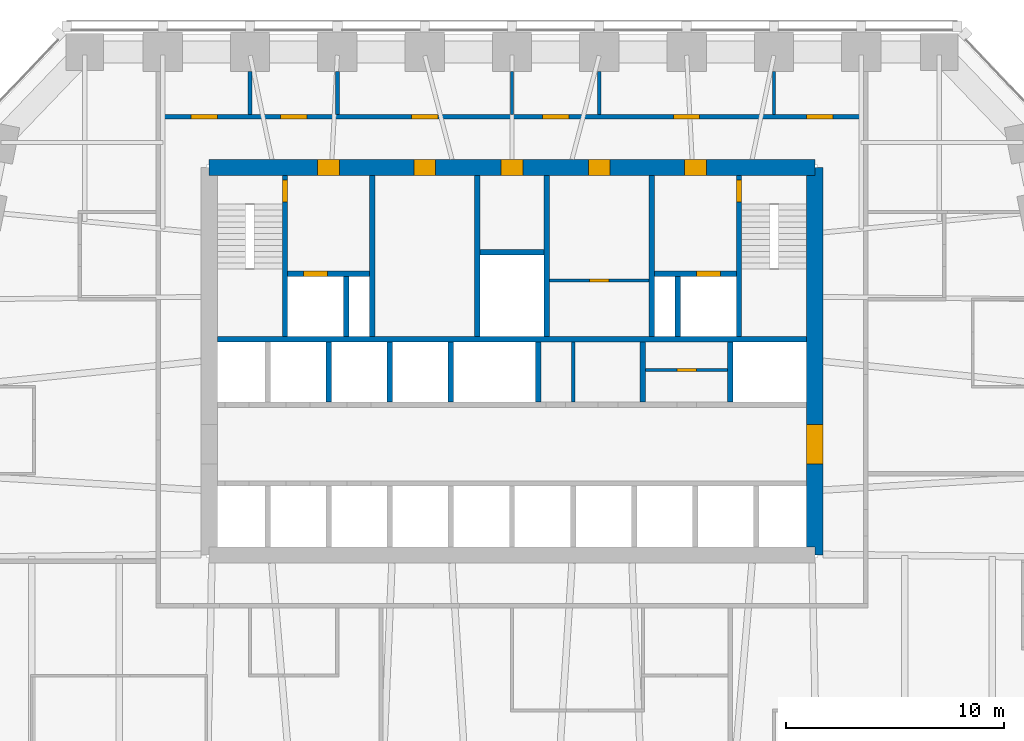
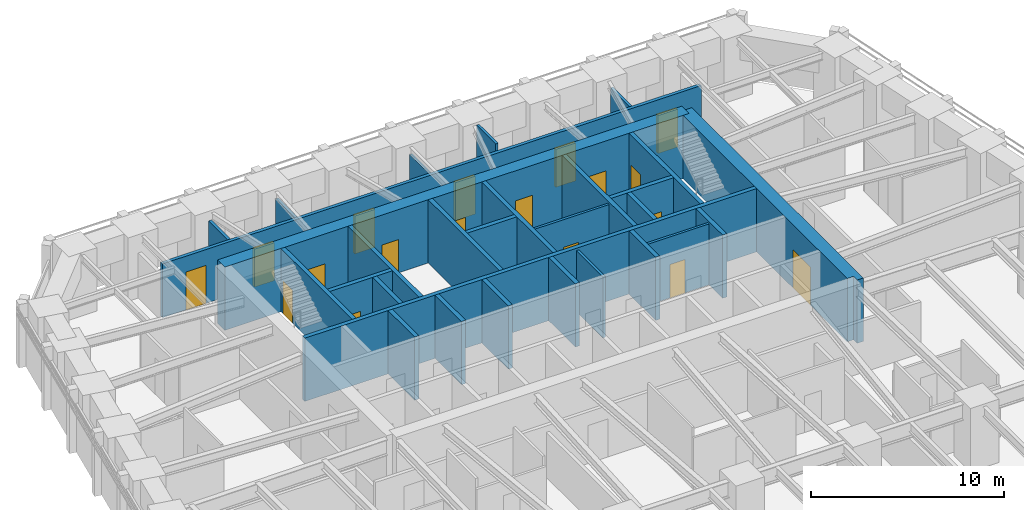
# One storey, part 7 of 10: 29 walls, 18 doors, 18 openings.
"""IFC4 building model written with IfcOpenShell, lengths in metres."""

from ifc_helpers import new_model, si_unit, direction, frame, frame_2d, origin, place, context, subcontext, project, spatial, polyline, rectangle, outline, extrude, material, layer, layer_set, type_object, element, fill, save


model = new_model("IFC4")

# Units and contexts
model_context = context("Model", 3, precision=1e-05, world=origin(), true_north=direction((0.0, 1.0)))
body_context = subcontext(model_context, "Body", "Model", "MODEL_VIEW")
ifc_project = project(units=[si_unit("LENGTHUNIT", "METRE"), si_unit("AREAUNIT", "SQUARE_METRE"), si_unit("VOLUMEUNIT", "CUBIC_METRE"), si_unit("PLANEANGLEUNIT", "RADIAN"), si_unit("MASSUNIT", "GRAM", prefix="KILO")], contexts=[model_context])

# Site, building, storey
site_placement = place(None, origin())
site = spatial("IfcSite", under=ifc_project, at=site_placement, CompositionType="ELEMENT")
building_placement = place(site_placement, origin())
building = spatial("IfcBuilding", under=site, at=building_placement, Name="Isbrekke Arena Tower", CompositionType="ELEMENT")
storey_placement = place(building_placement, frame((0.0, 0.0, 155.0)))
storey = spatial("IfcBuildingStorey", under=building, at=storey_placement, Name="L35", CompositionType="ELEMENT", Elevation=155.0)

# Wall, opening, door
ifc_material_1 = material(Name="Concrete B55 (C55/67)", Category="concrete")
ifc_layer_1 = layer(ifc_material_1, 0.75)
ifc_layer_set_1 = layer_set([ifc_layer_1], Name="CW3 CORE WALL 750")
wall_type_1 = type_object("IfcWallType", Name="CW3 CORE WALL 750", PredefinedType="SHEAR", material=ifc_layer_set_1)
wall_1_placement = place(storey_placement, frame((13.875, 6.125, 0.0), z_axis=(0.0, 0.0, 1.0), x_axis=(0.0, 1.0, 0.0)))
wall_1 = element("IfcWall", 1, at=wall_1_placement, inside=storey, type_object=wall_type_1, Name="Core wall E L35", PredefinedType="SHEAR", context=body_context, shape_type="SweptSolid", body=[
    extrude(outline(polyline([(0.0, -0.375), (17.75, -0.375), (17.75, 0.0), (17.375, 0.0), (17.375, 0.375), (0.375, 0.375), (0.375, 0.0), (0.0, 0.0), (0.0, -0.375)])), origin(), (0.0, 0.0, 1.0), 4.0),
])
opening_1_placement = place(wall_1_placement, frame((4.175048828125, 0.0, 0.0)))
opening_1 = element("IfcOpeningElement", 2, at=opening_1_placement, cuts=wall_1, Name="Opening D1", PredefinedType="OPENING", context=body_context, shape_type="SweptSolid", body=[
    extrude(rectangle(XDim=1.800048828125, YDim=2.39990234375, at=frame_2d((0.89990234375, 1.199951171875))), frame((0.0, 0.389892578125, 0.0), z_axis=(0.0, -1.0, 0.0), x_axis=(1.0, 0.0, 0.0)), (0.0, 0.0, 1.0), 0.77978515625),
])
ifc_material_2 = material(Name="Steel-framed glazed fire door", Category="steel")
door_type_1 = type_object("IfcDoorType", Name="D1 CORE LOBBY DOOR 1800 x 2400", OperationType="DOUBLE_DOOR_SINGLE_SWING", PredefinedType="DOOR", material=ifc_material_2)
door_1_placement = place(opening_1_placement, origin())
door_1 = element("IfcDoor", 3, at=door_1_placement, inside=storey, type_object=door_type_1, Name="D1 lift lobby door east L35", OperationType="DOUBLE_DOOR_SINGLE_SWING", OverallHeight=2.39990234375, OverallWidth=1.800048828125, PredefinedType="DOOR", context=body_context, shape_type="SweptSolid", body=[
    extrude(rectangle(XDim=1.800048828125, YDim=2.39990234375, at=frame_2d((0.89990234375, 1.199951171875))), frame((0.0, 0.374755859375, 0.0), z_axis=(0.0, -1.0, 0.0), x_axis=(1.0, 0.0, 0.0)), (0.0, 0.0, 1.0), 0.74951171875),
])
fill(opening_1, door_1)

# Wall, openings, doors
wall_2_placement = place(storey_placement, frame((13.875, 23.875, 0.0), z_axis=(0.0, 0.0, 1.0), x_axis=(-1.0, 0.0, 0.0)))
wall_2 = element("IfcWall", 4, at=wall_2_placement, inside=storey, type_object=wall_type_1, Name="Core wall N L35", PredefinedType="SHEAR", context=body_context, shape_type="SweptSolid", body=[
    extrude(rectangle(XDim=27.75, YDim=0.75, at=frame_2d((13.875, 0.0))), origin(), (0.0, 0.0, 1.0), 4.0),
])
opening_2_placement = place(wall_2_placement, frame((21.77490234375, 0.0, 0.0)))
opening_2 = element("IfcOpeningElement", 5, at=opening_2_placement, cuts=wall_2, Name="Opening D3", PredefinedType="OPENING", context=body_context, shape_type="SweptSolid", body=[
    extrude(rectangle(XDim=1.0, YDim=2.10009765625, at=frame_2d((0.5, 1.050048828125))), frame((0.0, 0.389892578125, 0.0), z_axis=(0.0, -1.0, 0.0), x_axis=(1.0, 0.0, 0.0)), (0.0, 0.0, 1.0), 0.77978515625),
])
opening_3_placement = place(wall_2_placement, frame((4.97509765625, 0.0, 0.0)))
opening_3 = element("IfcOpeningElement", 6, at=opening_3_placement, cuts=wall_2, Name="Opening D3", PredefinedType="OPENING", context=body_context, shape_type="SweptSolid", body=[
    extrude(rectangle(XDim=1.0, YDim=2.10009765625, at=frame_2d((0.5, 1.050048828125))), frame((0.0, 0.389892578125, 0.0), z_axis=(0.0, -1.0, 0.0), x_axis=(1.0, 0.0, 0.0)), (0.0, 0.0, 1.0), 0.77978515625),
])
opening_4_placement = place(wall_2_placement, frame((17.375, 0.0, 0.0)))
opening_4 = element("IfcOpeningElement", 7, at=opening_4_placement, cuts=wall_2, Name="Opening D4", PredefinedType="OPENING", context=body_context, shape_type="SweptSolid", body=[
    extrude(rectangle(XDim=1.0, YDim=2.10009765625, at=frame_2d((0.5, 1.050048828125))), frame((0.0, 0.389892578125, 0.0), z_axis=(0.0, -1.0, 0.0), x_axis=(1.0, 0.0, 0.0)), (0.0, 0.0, 1.0), 0.77978515625),
])
opening_5_placement = place(wall_2_placement, frame((13.375, 0.0, 0.0)))
opening_5 = element("IfcOpeningElement", 8, at=opening_5_placement, cuts=wall_2, Name="Opening D4", PredefinedType="OPENING", context=body_context, shape_type="SweptSolid", body=[
    extrude(rectangle(XDim=1.0, YDim=2.10009765625, at=frame_2d((0.5, 1.050048828125))), frame((0.0, 0.389892578125, 0.0), z_axis=(0.0, -1.0, 0.0), x_axis=(1.0, 0.0, 0.0)), (0.0, 0.0, 1.0), 0.77978515625),
])
opening_6_placement = place(wall_2_placement, frame((9.375, 0.0, 0.0)))
opening_6 = element("IfcOpeningElement", 9, at=opening_6_placement, cuts=wall_2, Name="Opening D4", PredefinedType="OPENING", context=body_context, shape_type="SweptSolid", body=[
    extrude(rectangle(XDim=1.0, YDim=2.10009765625, at=frame_2d((0.5, 1.050048828125))), frame((0.0, 0.389892578125, 0.0), z_axis=(0.0, -1.0, 0.0), x_axis=(1.0, 0.0, 0.0)), (0.0, 0.0, 1.0), 0.77978515625),
])
ifc_material_3 = material(Name="Steel fire door", Category="steel")
door_type_2 = type_object("IfcDoorType", Name="D3 FIRE LOBBY DOOR 1000 x 2100", OperationType="SINGLE_SWING_RIGHT", PredefinedType="DOOR", material=ifc_material_3)
door_2_placement = place(opening_2_placement, origin())
door_2 = element("IfcDoor", 10, at=door_2_placement, inside=storey, type_object=door_type_2, Name="D3 fire-fighting lobby door L35", OperationType="SINGLE_SWING_RIGHT", OverallHeight=2.10009765625, OverallWidth=1.0, PredefinedType="DOOR", context=body_context, shape_type="SweptSolid", body=[
    extrude(rectangle(XDim=1.0, YDim=2.10009765625, at=frame_2d((0.5, 1.050048828125))), frame((0.0, 0.374755859375, 0.0), z_axis=(0.0, -1.0, 0.0), x_axis=(1.0, 0.0, 0.0)), (0.0, 0.0, 1.0), 0.74951171875),
])
fill(opening_2, door_2)
door_3_placement = place(opening_3_placement, origin())
door_3 = element("IfcDoor", 11, at=door_3_placement, inside=storey, type_object=door_type_2, Name="D3 fire-fighting lobby door L35", OperationType="SINGLE_SWING_RIGHT", OverallHeight=2.10009765625, OverallWidth=1.0, PredefinedType="DOOR", context=body_context, shape_type="SweptSolid", body=[
    extrude(rectangle(XDim=1.0, YDim=2.10009765625, at=frame_2d((0.5, 1.050048828125))), frame((0.0, 0.374755859375, 0.0), z_axis=(0.0, -1.0, 0.0), x_axis=(1.0, 0.0, 0.0)), (0.0, 0.0, 1.0), 0.74951171875),
])
fill(opening_3, door_3)
ifc_material_4 = material(Name="Timber door", Category="wood")
door_type_3 = type_object("IfcDoorType", Name="D4 WC DOOR 1000 x 2100", OperationType="SINGLE_SWING_LEFT", PredefinedType="DOOR", material=ifc_material_4)
door_4_placement = place(opening_4_placement, origin())
door_4 = element("IfcDoor", 12, at=door_4_placement, inside=storey, type_object=door_type_3, Name="D4 wc female door L35", OperationType="SINGLE_SWING_LEFT", OverallHeight=2.10009765625, OverallWidth=1.0, PredefinedType="DOOR", context=body_context, shape_type="SweptSolid", body=[
    extrude(rectangle(XDim=1.0, YDim=2.10009765625, at=frame_2d((0.5, 1.050048828125))), frame((0.0, 0.374755859375, 0.0), z_axis=(0.0, -1.0, 0.0), x_axis=(1.0, 0.0, 0.0)), (0.0, 0.0, 1.0), 0.74951171875),
])
fill(opening_4, door_4)
door_5_placement = place(opening_5_placement, origin())
door_5 = element("IfcDoor", 13, at=door_5_placement, inside=storey, type_object=door_type_3, Name="D4 accessible wc door L35", OperationType="SINGLE_SWING_LEFT", OverallHeight=2.10009765625, OverallWidth=1.0, PredefinedType="DOOR", context=body_context, shape_type="SweptSolid", body=[
    extrude(rectangle(XDim=1.0, YDim=2.10009765625, at=frame_2d((0.5, 1.050048828125))), frame((0.0, 0.374755859375, 0.0), z_axis=(0.0, -1.0, 0.0), x_axis=(1.0, 0.0, 0.0)), (0.0, 0.0, 1.0), 0.74951171875),
])
fill(opening_5, door_5)
door_6_placement = place(opening_6_placement, origin())
door_6 = element("IfcDoor", 14, at=door_6_placement, inside=storey, type_object=door_type_3, Name="D4 wc male door L35", OperationType="SINGLE_SWING_LEFT", OverallHeight=2.10009765625, OverallWidth=1.0, PredefinedType="DOOR", context=body_context, shape_type="SweptSolid", body=[
    extrude(rectangle(XDim=1.0, YDim=2.10009765625, at=frame_2d((0.5, 1.050048828125))), frame((0.0, 0.374755859375, 0.0), z_axis=(0.0, -1.0, 0.0), x_axis=(1.0, 0.0, 0.0)), (0.0, 0.0, 1.0), 0.74951171875),
])
fill(opening_6, door_6)

# Walls
ifc_material_5 = material(Name="Concrete B45 (C45/55)", Category="concrete")
ifc_layer_2 = layer(ifc_material_5, 0.25)
ifc_layer_set_2 = layer_set([ifc_layer_2], Name="CW6 SHAFT WALL 250")
wall_type_2 = type_object("IfcWallType", Name="CW6 SHAFT WALL 250", PredefinedType="SHEAR", material=ifc_layer_set_2)
wall_3_placement = place(storey_placement, frame((-13.5, 16.0, 0.0), z_axis=(0.0, 0.0, 1.0), x_axis=(1.0, 0.0, 0.0)))
element("IfcWall", 15, at=wall_3_placement, inside=storey, type_object=wall_type_2, Name="Core wall NB L35", PredefinedType="SHEAR", context=body_context, shape_type="SweptSolid", body=[
    extrude(rectangle(XDim=27.0, YDim=0.25, at=frame_2d((13.5, 0.0))), origin(), (0.0, 0.0, 1.0), 4.0),
])
for number, where, z_axis, x_axis, name in (
    (16, (-8.39990234375, 13.125, 0.0), (0.0, 0.0, 1.0), (0.0, 1.0, 0.0), "Core wall SN02 L35"),
    (17, (-5.60009765625, 13.125, 0.0), (0.0, 0.0, 1.0), (0.0, 1.0, 0.0), "Core wall SN03 L35"),
    (18, (-2.800048828125, 13.125, 0.0), (0.0, 0.0, 1.0), (0.0, 1.0, 0.0), "Core wall SN04 L35"),
    (19, (1.199951171875, 13.125, 0.0), (0.0, 0.0, 1.0), (0.0, 1.0, 0.0), "Core wall SN05 L35"),
    (20, (6.0, 13.125, 0.0), (0.0, 0.0, 1.0), (0.0, 1.0, 0.0), "Core wall SN06 L35"),
    (21, (10.0, 13.125, 0.0), (0.0, 0.0, 1.0), (0.0, 1.0, 0.0), "Core wall SN07 L35"),
):
    element("IfcWall", number, at=place(storey_placement, frame(where, z_axis=z_axis, x_axis=x_axis)), inside=storey, type_object=wall_type_2, Name=name, PredefinedType="SHEAR", context=body_context, shape_type="SweptSolid", body=[
        extrude(rectangle(XDim=2.75, YDim=0.25, at=frame_2d((1.375, 0.0))), origin(), (0.0, 0.0, 1.0), 4.0),
    ])

# Wall, opening, door
wall_4_placement = place(storey_placement, frame((-10.39990234375, 16.125, 0.0), z_axis=(0.0, 0.0, 1.0), x_axis=(0.0, 1.0, 0.0)))
wall_4 = element("IfcWall", 22, at=wall_4_placement, inside=storey, type_object=wall_type_2, Name="Core wall NV01 L35", PredefinedType="SHEAR", context=body_context, shape_type="SweptSolid", body=[
    extrude(rectangle(XDim=7.375, YDim=0.25, at=frame_2d((3.6875, 0.0))), origin(), (0.0, 0.0, 1.0), 4.0),
])
opening_7_placement = place(wall_4_placement, frame((6.175048828125, 0.0, 0.0)))
opening_7 = element("IfcOpeningElement", 23, at=opening_7_placement, cuts=wall_4, Name="Opening D2", PredefinedType="OPENING", context=body_context, shape_type="SweptSolid", body=[
    extrude(rectangle(XDim=1.0, YDim=2.10009765625, at=frame_2d((0.5, 1.050048828125))), frame((0.0, 0.139892578125, 0.0), z_axis=(0.0, -1.0, 0.0), x_axis=(1.0, 0.0, 0.0)), (0.0, 0.0, 1.0), 0.27978515625),
])
ifc_material_6 = material(Name="Steel fire door", Category="steel")
door_type_4 = type_object("IfcDoorType", Name="D2 STAIR DOOR 1000 x 2100", OperationType="SINGLE_SWING_LEFT", PredefinedType="DOOR", material=ifc_material_6)
door_7_placement = place(opening_7_placement, origin())
door_7 = element("IfcDoor", 24, at=door_7_placement, inside=storey, type_object=door_type_4, Name="D2 stair door ST1 L35", OperationType="SINGLE_SWING_LEFT", OverallHeight=2.10009765625, OverallWidth=1.0, PredefinedType="DOOR", context=body_context, shape_type="SweptSolid", body=[
    extrude(rectangle(XDim=1.0, YDim=2.10009765625, at=frame_2d((0.5, 1.050048828125))), frame((0.0, 0.124755859375, 0.0), z_axis=(0.0, -1.0, 0.0), x_axis=(1.0, 0.0, 0.0)), (0.0, 0.0, 1.0), 0.24951171875),
])
fill(opening_7, door_7)

# Walls
for number, where, z_axis, x_axis, name in (
    (25, (-6.39990234375, 16.125, 0.0), (0.0, 0.0, 1.0), (0.0, 1.0, 0.0), "Core wall NV02 L35"),
    (26, (-1.60009765625, 16.125, 0.0), (0.0, 0.0, 1.0), (0.0, 1.0, 0.0), "Core wall NV03 L35"),
    (27, (1.60009765625, 16.125, 0.0), (0.0, 0.0, 1.0), (0.0, 1.0, 0.0), "Core wall NV04 L35"),
    (28, (6.39990234375, 16.125, 0.0), (0.0, 0.0, 1.0), (0.0, 1.0, 0.0), "Core wall NV05 L35"),
):
    element("IfcWall", number, at=place(storey_placement, frame(where, z_axis=z_axis, x_axis=x_axis)), inside=storey, type_object=wall_type_2, Name=name, PredefinedType="SHEAR", context=body_context, shape_type="SweptSolid", body=[
        extrude(rectangle(XDim=7.375, YDim=0.25, at=frame_2d((3.6875, 0.0))), origin(), (0.0, 0.0, 1.0), 4.0),
    ])

# Wall, opening, door
wall_5_placement = place(storey_placement, frame((10.39990234375, 16.125, 0.0), z_axis=(0.0, 0.0, 1.0), x_axis=(0.0, 1.0, 0.0)))
wall_5 = element("IfcWall", 29, at=wall_5_placement, inside=storey, type_object=wall_type_2, Name="Core wall NV06 L35", PredefinedType="SHEAR", context=body_context, shape_type="SweptSolid", body=[
    extrude(rectangle(XDim=7.375, YDim=0.25, at=frame_2d((3.6875, 0.0))), origin(), (0.0, 0.0, 1.0), 4.0),
])
opening_8_placement = place(wall_5_placement, frame((6.175048828125, 0.0, 0.0)))
opening_8 = element("IfcOpeningElement", 30, at=opening_8_placement, cuts=wall_5, Name="Opening D2", PredefinedType="OPENING", context=body_context, shape_type="SweptSolid", body=[
    extrude(rectangle(XDim=1.0, YDim=2.10009765625, at=frame_2d((0.5, 1.050048828125))), frame((0.0, 0.139892578125, 0.0), z_axis=(0.0, -1.0, 0.0), x_axis=(1.0, 0.0, 0.0)), (0.0, 0.0, 1.0), 0.27978515625),
])
door_8_placement = place(opening_8_placement, origin())
door_8 = element("IfcDoor", 31, at=door_8_placement, inside=storey, type_object=door_type_4, Name="D2 stair door ST2 L35", OperationType="SINGLE_SWING_LEFT", OverallHeight=2.10009765625, OverallWidth=1.0, PredefinedType="DOOR", context=body_context, shape_type="SweptSolid", body=[
    extrude(rectangle(XDim=1.0, YDim=2.10009765625, at=frame_2d((0.5, 1.050048828125))), frame((0.0, 0.124755859375, 0.0), z_axis=(0.0, -1.0, 0.0), x_axis=(1.0, 0.0, 0.0)), (0.0, 0.0, 1.0), 0.24951171875),
])
fill(opening_8, door_8)

wall_6_placement = place(storey_placement, frame((-10.27490234375, 19.0, 0.0), z_axis=(0.0, 0.0, 1.0), x_axis=(1.0, 0.0, 0.0)))
wall_6 = element("IfcWall", 32, at=wall_6_placement, inside=storey, type_object=wall_type_2, Name="Core wall NFW L35", PredefinedType="SHEAR", context=body_context, shape_type="SweptSolid", body=[
    extrude(rectangle(XDim=3.75, YDim=0.25, at=frame_2d((1.875, 0.0))), origin(), (0.0, 0.0, 1.0), 4.0),
])
opening_9_placement = place(wall_6_placement, frame((0.72509765625, 0.0, 0.0)))
opening_9 = element("IfcOpeningElement", 33, at=opening_9_placement, cuts=wall_6, Name="Opening LD2", PredefinedType="OPENING", context=body_context, shape_type="SweptSolid", body=[
    extrude(rectangle(XDim=1.10009765625, YDim=2.10009765625, at=frame_2d((0.550048828125, 1.050048828125))), frame((0.0, 0.139892578125, 0.0), z_axis=(0.0, -1.0, 0.0), x_axis=(1.0, 0.0, 0.0)), (0.0, 0.0, 1.0), 0.27978515625),
])
ifc_material_7 = material(Name="Stainless steel lift landing door", Category="steel")
door_type_5 = type_object("IfcDoorType", Name="LD2 FIRE-FIGHTING LIFT LANDING DOOR 1100 x 2100", OperationType="SLIDING_TO_RIGHT", PredefinedType="DOOR", material=ifc_material_7)
door_9_placement = place(opening_9_placement, origin())
door_9 = element("IfcDoor", 34, at=door_9_placement, inside=storey, type_object=door_type_5, Name="LD2 lift landing door LF L35", OperationType="SLIDING_TO_RIGHT", OverallHeight=2.10009765625, OverallWidth=1.10009765625, PredefinedType="DOOR", context=body_context, shape_type="SweptSolid", body=[
    extrude(rectangle(XDim=1.10009765625, YDim=2.10009765625, at=frame_2d((0.550048828125, 1.050048828125))), frame((0.0, 0.124755859375, 0.0), z_axis=(0.0, -1.0, 0.0), x_axis=(1.0, 0.0, 0.0)), (0.0, 0.0, 1.0), 0.24951171875),
])
fill(opening_9, door_9)

wall_7_placement = place(storey_placement, frame((6.52490234375, 19.0, 0.0), z_axis=(0.0, 0.0, 1.0), x_axis=(1.0, 0.0, 0.0)))
wall_7 = element("IfcWall", 35, at=wall_7_placement, inside=storey, type_object=wall_type_2, Name="Core wall NFE L35", PredefinedType="SHEAR", context=body_context, shape_type="SweptSolid", body=[
    extrude(rectangle(XDim=3.75, YDim=0.25, at=frame_2d((1.875, 0.0))), origin(), (0.0, 0.0, 1.0), 4.0),
])
opening_10_placement = place(wall_7_placement, frame((1.925048828125, 0.0, 0.0)))
opening_10 = element("IfcOpeningElement", 36, at=opening_10_placement, cuts=wall_7, Name="Opening LD2", PredefinedType="OPENING", context=body_context, shape_type="SweptSolid", body=[
    extrude(rectangle(XDim=1.10009765625, YDim=2.10009765625, at=frame_2d((0.550048828125, 1.050048828125))), frame((0.0, 0.139892578125, 0.0), z_axis=(0.0, -1.0, 0.0), x_axis=(1.0, 0.0, 0.0)), (0.0, 0.0, 1.0), 0.27978515625),
])
door_10_placement = place(opening_10_placement, origin())
door_10 = element("IfcDoor", 37, at=door_10_placement, inside=storey, type_object=door_type_5, Name="LD2 lift landing door LF L35", OperationType="SLIDING_TO_RIGHT", OverallHeight=2.10009765625, OverallWidth=1.10009765625, PredefinedType="DOOR", context=body_context, shape_type="SweptSolid", body=[
    extrude(rectangle(XDim=1.10009765625, YDim=2.10009765625, at=frame_2d((0.550048828125, 1.050048828125))), frame((0.0, 0.124755859375, 0.0), z_axis=(0.0, -1.0, 0.0), x_axis=(1.0, 0.0, 0.0)), (0.0, 0.0, 1.0), 0.24951171875),
])
fill(opening_10, door_10)

# Walls
for number, where, z_axis, x_axis, name in (
    (38, (-7.60009765625, 16.125, 0.0), (0.0, 0.0, 1.0), (0.0, 1.0, 0.0), "Core wall NFS1 L35"),
    (39, (7.60009765625, 16.125, 0.0), (0.0, 0.0, 1.0), (0.0, 1.0, 0.0), "Core wall NFS2 L35"),
):
    element("IfcWall", number, at=place(storey_placement, frame(where, z_axis=z_axis, x_axis=x_axis)), inside=storey, type_object=wall_type_2, Name=name, PredefinedType="SHEAR", context=body_context, shape_type="SweptSolid", body=[
        extrude(rectangle(XDim=2.75, YDim=0.25, at=frame_2d((1.375, 0.0))), origin(), (0.0, 0.0, 1.0), 4.0),
    ])
wall_8_placement = place(storey_placement, frame((-1.47509765625, 20.0, 0.0), z_axis=(0.0, 0.0, 1.0), x_axis=(1.0, 0.0, 0.0)))
element("IfcWall", 40, at=wall_8_placement, inside=storey, type_object=wall_type_2, Name="Core wall NWC L35", PredefinedType="SHEAR", context=body_context, shape_type="SweptSolid", body=[
    extrude(rectangle(XDim=2.9501953125, YDim=0.25, at=frame_2d((1.47509765625, 0.0))), origin(), (0.0, 0.0, 1.0), 4.0),
])
ifc_material_8 = material(Name="Gypsum board partition on steel studs", Category="steel")
ifc_layer_3 = layer(ifc_material_8, 0.14990234375)
ifc_layer_set_3 = layer_set([ifc_layer_3], Name="IW1 PARTITION 150")
wall_type_3 = type_object("IfcWallType", Name="IW1 PARTITION 150", PredefinedType="PARTITIONING", material=ifc_layer_set_3)
wall_9_placement = place(storey_placement, frame((0.0, 26.300048828125, 0.0), z_axis=(0.0, 0.0, 1.0), x_axis=(0.0, 1.0, 0.0)))
element("IfcWall", 41, at=wall_9_placement, inside=storey, type_object=wall_type_3, Name="IW1 partition 150 L35", PredefinedType="PARTITIONING", context=body_context, shape_type="SweptSolid", body=[
    extrude(rectangle(XDim=1.974853515625, YDim=0.14990234375, at=frame_2d((0.9873046875, 0.0))), origin(), (0.0, 0.0, 1.0), 3.39990234375),
])
wall_10_placement = place(storey_placement, frame((4.0, 26.300048828125, 0.0), z_axis=(0.0, 0.0, 1.0), x_axis=(0.0, 1.0, 0.0)))
element("IfcWall", 42, at=wall_10_placement, inside=storey, type_object=wall_type_3, Name="IW1 partition 150 L35", PredefinedType="PARTITIONING", context=body_context, shape_type="SweptSolid", body=[
    extrude(rectangle(XDim=1.974853515625, YDim=0.14990234375, at=frame_2d((0.9873046875, 0.0))), origin(), (0.0, 0.0, 1.0), 3.85009765625),
])
wall_11_placement = place(storey_placement, frame((12.0, 26.300048828125, 0.0), z_axis=(0.0, 0.0, 1.0), x_axis=(0.0, 1.0, 0.0)))
element("IfcWall", 43, at=wall_11_placement, inside=storey, type_object=wall_type_3, Name="IW1 partition 150 L35", PredefinedType="PARTITIONING", context=body_context, shape_type="SweptSolid", body=[
    extrude(rectangle(XDim=1.974853515625, YDim=0.14990234375, at=frame_2d((0.9873046875, 0.0))), origin(), (0.0, 0.0, 1.0), 3.39990234375),
])

# Wall, openings, doors
ifc_material_9 = material(Name="Gypsum board fire-cell wall on steel studs, two layers each side", Category="steel")
ifc_layer_4 = layer(ifc_material_9, 0.199951171875)
ifc_layer_set_4 = layer_set([ifc_layer_4], Name="IW3 FIRE-CELL WALL 200")
wall_type_4 = type_object("IfcWallType", Name="IW3 FIRE-CELL WALL 200", PredefinedType="PARTITIONING", material=ifc_layer_set_4)
wall_12_placement = place(storey_placement, frame((-16.10009765625, 26.199951171875, 0.0), z_axis=(0.0, 0.0, 1.0), x_axis=(1.0, 0.0, 0.0)))
wall_12 = element("IfcWall", 44, at=wall_12_placement, inside=storey, type_object=wall_type_4, Name="IW3 fire-cell wall 200 L35", PredefinedType="PARTITIONING", context=body_context, shape_type="SweptSolid", body=[
    extrude(rectangle(XDim=32.2001953125, YDim=0.199951171875, at=frame_2d((16.10009765625, 0.0))), origin(), (0.0, 0.0, 1.0), 3.39990234375),
])
opening_11_placement = place(wall_12_placement, frame((1.39990234375, 0.0, 0.0)))
opening_11 = element("IfcOpeningElement", 45, at=opening_11_placement, cuts=wall_12, Name="Opening D12", PredefinedType="OPENING", context=body_context, shape_type="SweptSolid", body=[
    extrude(rectangle(XDim=1.199951171875, YDim=2.39990234375, at=frame_2d((0.60009765625, 1.199951171875))), frame((0.0, 0.11474609375, 0.0), z_axis=(0.0, -1.0, 0.0), x_axis=(1.0, 0.0, 0.0)), (0.0, 0.0, 1.0), 0.229736328125),
])
opening_12_placement = place(wall_12_placement, frame((5.5, 0.0, 0.0)))
opening_12 = element("IfcOpeningElement", 46, at=opening_12_placement, cuts=wall_12, Name="Opening D12", PredefinedType="OPENING", context=body_context, shape_type="SweptSolid", body=[
    extrude(rectangle(XDim=1.199951171875, YDim=2.39990234375, at=frame_2d((0.60009765625, 1.199951171875))), frame((0.0, 0.11474609375, 0.0), z_axis=(0.0, -1.0, 0.0), x_axis=(1.0, 0.0, 0.0)), (0.0, 0.0, 1.0), 0.229736328125),
])
opening_13_placement = place(wall_12_placement, frame((11.5, 0.0, 0.0)))
opening_13 = element("IfcOpeningElement", 47, at=opening_13_placement, cuts=wall_12, Name="Opening D12", PredefinedType="OPENING", context=body_context, shape_type="SweptSolid", body=[
    extrude(rectangle(XDim=1.199951171875, YDim=2.39990234375, at=frame_2d((0.60009765625, 1.199951171875))), frame((0.0, 0.11474609375, 0.0), z_axis=(0.0, -1.0, 0.0), x_axis=(1.0, 0.0, 0.0)), (0.0, 0.0, 1.0), 0.229736328125),
])
opening_14_placement = place(wall_12_placement, frame((17.5, 0.0, 0.0)))
opening_14 = element("IfcOpeningElement", 48, at=opening_14_placement, cuts=wall_12, Name="Opening D12", PredefinedType="OPENING", context=body_context, shape_type="SweptSolid", body=[
    extrude(rectangle(XDim=1.199951171875, YDim=2.39990234375, at=frame_2d((0.60009765625, 1.199951171875))), frame((0.0, 0.11474609375, 0.0), z_axis=(0.0, -1.0, 0.0), x_axis=(1.0, 0.0, 0.0)), (0.0, 0.0, 1.0), 0.229736328125),
])
opening_15_placement = place(wall_12_placement, frame((23.5, 0.0, 0.0)))
opening_15 = element("IfcOpeningElement", 49, at=opening_15_placement, cuts=wall_12, Name="Opening D12", PredefinedType="OPENING", context=body_context, shape_type="SweptSolid", body=[
    extrude(rectangle(XDim=1.199951171875, YDim=2.39990234375, at=frame_2d((0.60009765625, 1.199951171875))), frame((0.0, 0.11474609375, 0.0), z_axis=(0.0, -1.0, 0.0), x_axis=(1.0, 0.0, 0.0)), (0.0, 0.0, 1.0), 0.229736328125),
])
opening_16_placement = place(wall_12_placement, frame((29.60009765625, 0.0, 0.0)))
opening_16 = element("IfcOpeningElement", 50, at=opening_16_placement, cuts=wall_12, Name="Opening D12", PredefinedType="OPENING", context=body_context, shape_type="SweptSolid", body=[
    extrude(rectangle(XDim=1.199951171875, YDim=2.39990234375, at=frame_2d((0.60009765625, 1.199951171875))), frame((0.0, 0.11474609375, 0.0), z_axis=(0.0, -1.0, 0.0), x_axis=(1.0, 0.0, 0.0)), (0.0, 0.0, 1.0), 0.229736328125),
])
ifc_material_10 = material(Name="Timber fire door with vision panel", Category="wood")
door_type_6 = type_object("IfcDoorType", Name="D12 SUITE ENTRANCE DOOR 1200 x 2400", OperationType="SINGLE_SWING_LEFT", PredefinedType="DOOR", material=ifc_material_10)
door_11_placement = place(opening_11_placement, origin())
door_11 = element("IfcDoor", 51, at=door_11_placement, inside=storey, type_object=door_type_6, Name="D12 focus room door L35", OperationType="SINGLE_SWING_LEFT", OverallHeight=2.39990234375, OverallWidth=1.199951171875, PredefinedType="DOOR", context=body_context, shape_type="SweptSolid", body=[
    extrude(rectangle(XDim=1.199951171875, YDim=2.39990234375, at=frame_2d((0.60009765625, 1.199951171875))), frame((0.0, 0.099609375, 0.0), z_axis=(0.0, -1.0, 0.0), x_axis=(1.0, 0.0, 0.0)), (0.0, 0.0, 1.0), 0.199462890625),
])
fill(opening_11, door_11)
door_12_placement = place(opening_12_placement, origin())
door_12 = element("IfcDoor", 52, at=door_12_placement, inside=storey, type_object=door_type_6, Name="D12 focus room door L35", OperationType="SINGLE_SWING_LEFT", OverallHeight=2.39990234375, OverallWidth=1.199951171875, PredefinedType="DOOR", context=body_context, shape_type="SweptSolid", body=[
    extrude(rectangle(XDim=1.199951171875, YDim=2.39990234375, at=frame_2d((0.60009765625, 1.199951171875))), frame((0.0, 0.099609375, 0.0), z_axis=(0.0, -1.0, 0.0), x_axis=(1.0, 0.0, 0.0)), (0.0, 0.0, 1.0), 0.199462890625),
])
fill(opening_12, door_12)
door_13_placement = place(opening_13_placement, origin())
door_13 = element("IfcDoor", 53, at=door_13_placement, inside=storey, type_object=door_type_6, Name="D12 meeting room door L35", OperationType="SINGLE_SWING_LEFT", OverallHeight=2.39990234375, OverallWidth=1.199951171875, PredefinedType="DOOR", context=body_context, shape_type="SweptSolid", body=[
    extrude(rectangle(XDim=1.199951171875, YDim=2.39990234375, at=frame_2d((0.60009765625, 1.199951171875))), frame((0.0, 0.099609375, 0.0), z_axis=(0.0, -1.0, 0.0), x_axis=(1.0, 0.0, 0.0)), (0.0, 0.0, 1.0), 0.199462890625),
])
fill(opening_13, door_13)
door_14_placement = place(opening_14_placement, origin())
door_14 = element("IfcDoor", 54, at=door_14_placement, inside=storey, type_object=door_type_6, Name="D12 print room door L35", OperationType="SINGLE_SWING_LEFT", OverallHeight=2.39990234375, OverallWidth=1.199951171875, PredefinedType="DOOR", context=body_context, shape_type="SweptSolid", body=[
    extrude(rectangle(XDim=1.199951171875, YDim=2.39990234375, at=frame_2d((0.60009765625, 1.199951171875))), frame((0.0, 0.099609375, 0.0), z_axis=(0.0, -1.0, 0.0), x_axis=(1.0, 0.0, 0.0)), (0.0, 0.0, 1.0), 0.199462890625),
])
fill(opening_14, door_14)
door_15_placement = place(opening_15_placement, origin())
door_15 = element("IfcDoor", 55, at=door_15_placement, inside=storey, type_object=door_type_6, Name="D12 meeting room door L35", OperationType="SINGLE_SWING_LEFT", OverallHeight=2.39990234375, OverallWidth=1.199951171875, PredefinedType="DOOR", context=body_context, shape_type="SweptSolid", body=[
    extrude(rectangle(XDim=1.199951171875, YDim=2.39990234375, at=frame_2d((0.60009765625, 1.199951171875))), frame((0.0, 0.099609375, 0.0), z_axis=(0.0, -1.0, 0.0), x_axis=(1.0, 0.0, 0.0)), (0.0, 0.0, 1.0), 0.199462890625),
])
fill(opening_15, door_15)
door_16_placement = place(opening_16_placement, origin())
door_16 = element("IfcDoor", 56, at=door_16_placement, inside=storey, type_object=door_type_6, Name="D12 store door L35", OperationType="SINGLE_SWING_LEFT", OverallHeight=2.39990234375, OverallWidth=1.199951171875, PredefinedType="DOOR", context=body_context, shape_type="SweptSolid", body=[
    extrude(rectangle(XDim=1.199951171875, YDim=2.39990234375, at=frame_2d((0.60009765625, 1.199951171875))), frame((0.0, 0.099609375, 0.0), z_axis=(0.0, -1.0, 0.0), x_axis=(1.0, 0.0, 0.0)), (0.0, 0.0, 1.0), 0.199462890625),
])
fill(opening_16, door_16)

# Walls
ifc_material_11 = material(Name="Gypsum board acoustic partition on twin steel studs", Category="steel")
ifc_layer_5 = layer(ifc_material_11, 0.175048828125)
ifc_layer_set_5 = layer_set([ifc_layer_5], Name="IW4 ACOUSTIC PARTITION 175")
wall_type_5 = type_object("IfcWallType", Name="IW4 ACOUSTIC PARTITION 175", PredefinedType="PARTITIONING", material=ifc_layer_set_5)
for number, where, z_axis, x_axis, name in (
    (57, (-12.0, 26.300048828125, 0.0), (0.0, 0.0, 1.0), (0.0, 1.0, 0.0), "IW4 acoustic partition 175 L35"),
    (58, (-8.0, 26.300048828125, 0.0), (0.0, 0.0, 1.0), (0.0, 1.0, 0.0), "IW4 acoustic partition 175 L35"),
):
    element("IfcWall", number, at=place(storey_placement, frame(where, z_axis=z_axis, x_axis=x_axis)), inside=storey, type_object=wall_type_5, Name=name, PredefinedType="PARTITIONING", context=body_context, shape_type="SweptSolid", body=[
        extrude(rectangle(XDim=1.974853515625, YDim=0.175048828125, at=frame_2d((0.9873046875, 0.0))), origin(), (0.0, 0.0, 1.0), 3.39990234375),
    ])

# Wall, opening, door
ifc_material_12 = material(Name="Gypsum board fire-rated partition on steel studs, two layers each side", Category="steel")
ifc_layer_6 = layer(ifc_material_12, 0.14990234375)
ifc_layer_set_6 = layer_set([ifc_layer_6], Name="IW5 FIRE-RATED PARTITION 150")
wall_type_6 = type_object("IfcWallType", Name="IW5 FIRE-RATED PARTITION 150", PredefinedType="PARTITIONING", material=ifc_layer_set_6)
wall_13_placement = place(storey_placement, frame((1.72509765625, 18.699951171875, 0.0), z_axis=(0.0, 0.0, 1.0), x_axis=(1.0, 0.0, 0.0)))
wall_13 = element("IfcWall", 59, at=wall_13_placement, inside=storey, type_object=wall_type_6, Name="IW5 fire-rated partition L35 cleaner's store M", PredefinedType="PARTITIONING", context=body_context, shape_type="SweptSolid", body=[
    extrude(rectangle(XDim=4.5498046875, YDim=0.14990234375, at=frame_2d((2.27490234375, 0.0))), origin(), (0.0, 0.0, 1.0), 3.85009765625),
])
opening_17_placement = place(wall_13_placement, frame((1.824951171875, 0.0, 0.0)))
opening_17 = element("IfcOpeningElement", 60, at=opening_17_placement, cuts=wall_13, Name="Opening D5", PredefinedType="OPENING", context=body_context, shape_type="SweptSolid", body=[
    extrude(rectangle(XDim=0.89990234375, YDim=2.10009765625, at=frame_2d((0.449951171875, 1.050048828125))), frame((0.0, 0.08984375, 0.0), z_axis=(0.0, -1.0, 0.0), x_axis=(1.0, 0.0, 0.0)), (0.0, 0.0, 1.0), 0.1796875),
])
ifc_material_13 = material(Name="Steel fire door", Category="steel")
door_type_7 = type_object("IfcDoorType", Name="D5 SERVICE DOOR 900 x 2100", OperationType="SINGLE_SWING_LEFT", PredefinedType="DOOR", material=ifc_material_13)
door_17_placement = place(opening_17_placement, origin())
door_17 = element("IfcDoor", 61, at=door_17_placement, inside=storey, type_object=door_type_7, Name="D5 cleaner's store door L35", OperationType="SINGLE_SWING_LEFT", OverallHeight=2.10009765625, OverallWidth=0.89990234375, PredefinedType="DOOR", context=body_context, shape_type="SweptSolid", body=[
    extrude(rectangle(XDim=0.89990234375, YDim=2.10009765625, at=frame_2d((0.449951171875, 1.050048828125))), frame((0.0, 0.07470703125, 0.0), z_axis=(0.0, -1.0, 0.0), x_axis=(1.0, 0.0, 0.0)), (0.0, 0.0, 1.0), 0.1494140625),
])
fill(opening_17, door_17)

# Wall
wall_14_placement = place(storey_placement, frame((2.800048828125, 13.125, 0.0), z_axis=(0.0, 0.0, 1.0), x_axis=(0.0, 1.0, 0.0)))
element("IfcWall", 62, at=wall_14_placement, inside=storey, type_object=wall_type_6, Name="IW5 fire-rated partition L35 core service rooms 1", PredefinedType="PARTITIONING", context=body_context, shape_type="SweptSolid", body=[
    extrude(rectangle(XDim=2.75, YDim=0.14990234375, at=frame_2d((1.375, 0.0))), origin(), (0.0, 0.0, 1.0), 3.85009765625),
])

# Wall, opening, door
wall_15_placement = place(storey_placement, frame((6.125, 14.60009765625, 0.0), z_axis=(0.0, 0.0, 1.0), x_axis=(1.0, 0.0, 0.0)))
wall_15 = element("IfcWall", 63, at=wall_15_placement, inside=storey, type_object=wall_type_6, Name="IW5 fire-rated partition L35 core service rooms 2", PredefinedType="PARTITIONING", context=body_context, shape_type="SweptSolid", body=[
    extrude(rectangle(XDim=3.75, YDim=0.14990234375, at=frame_2d((1.875, 0.0))), origin(), (0.0, 0.0, 1.0), 3.85009765625),
])
opening_18_placement = place(wall_15_placement, frame((1.425048828125, 0.0, 0.0)))
opening_18 = element("IfcOpeningElement", 64, at=opening_18_placement, cuts=wall_15, Name="Opening D5", PredefinedType="OPENING", context=body_context, shape_type="SweptSolid", body=[
    extrude(rectangle(XDim=0.89990234375, YDim=2.10009765625, at=frame_2d((0.449951171875, 1.050048828125))), frame((0.0, 0.08984375, 0.0), z_axis=(0.0, -1.0, 0.0), x_axis=(1.0, 0.0, 0.0)), (0.0, 0.0, 1.0), 0.1796875),
])
door_18_placement = place(opening_18_placement, origin())
door_18 = element("IfcDoor", 65, at=door_18_placement, inside=storey, type_object=door_type_7, Name="D5 technical room door L35", OperationType="SINGLE_SWING_LEFT", OverallHeight=2.10009765625, OverallWidth=0.89990234375, PredefinedType="DOOR", context=body_context, shape_type="SweptSolid", body=[
    extrude(rectangle(XDim=0.89990234375, YDim=2.10009765625, at=frame_2d((0.449951171875, 1.050048828125))), frame((0.0, 0.07470703125, 0.0), z_axis=(0.0, -1.0, 0.0), x_axis=(1.0, 0.0, 0.0)), (0.0, 0.0, 1.0), 0.1494140625),
])
fill(opening_18, door_18)

save(model, "model.ifc")
